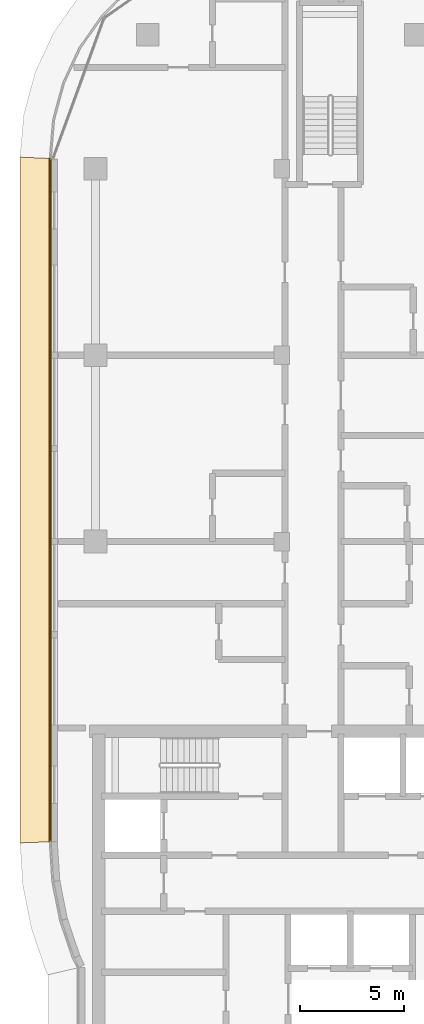
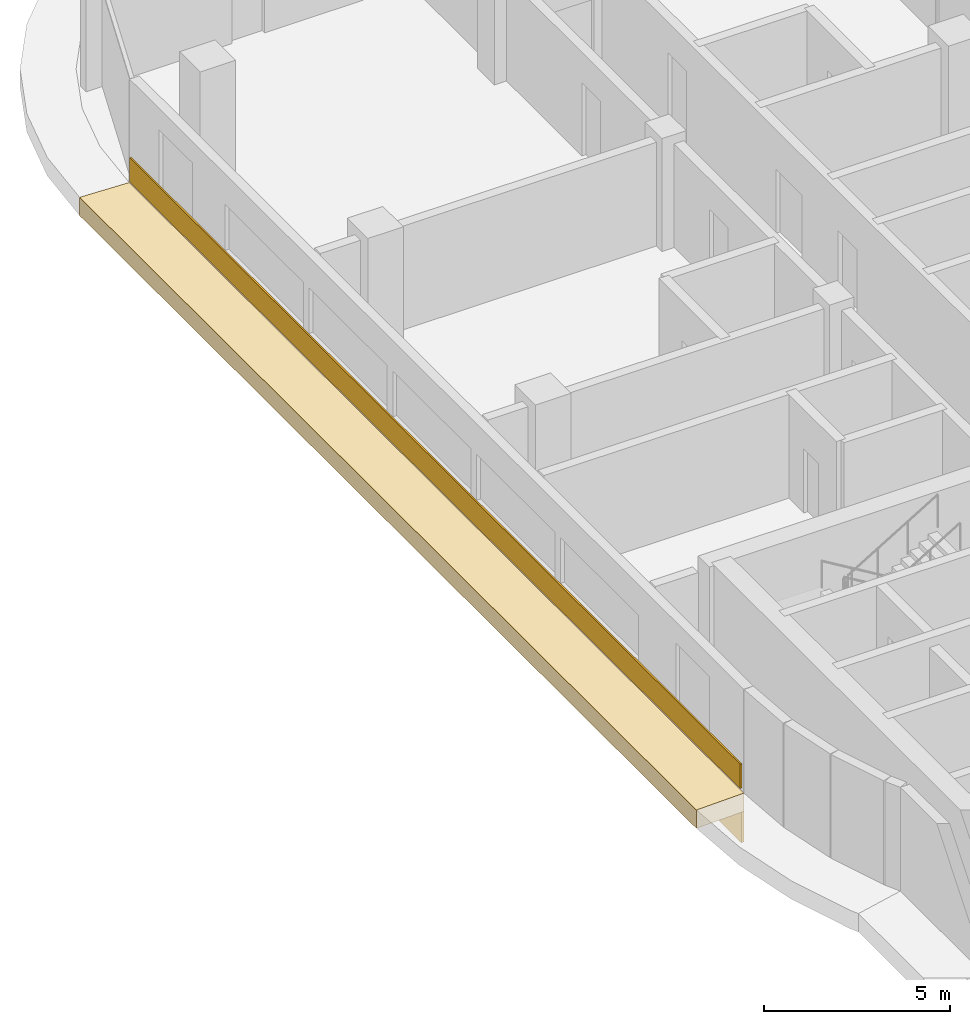
# One storey, part 19 of 26: 3 coverings.
"""IFC4 building model written with IfcOpenShell, lengths in metres."""

from ifc_helpers import new_model, si_unit, direction, frame, origin, origin_2d, place, context, subcontext, project, spatial, polyline, rectangle, outline, extrude, material, layer, layer_set, type_object, element, save


model = new_model("IFC4")

# Units and contexts
model_context = context("Model", 3, precision=1e-05, world=origin(), true_north=direction((0.0, 1.0)))
body_context = subcontext(model_context, "Body", "Model", "MODEL_VIEW")
ifc_project = project(units=[si_unit("LENGTHUNIT", "METRE"), si_unit("AREAUNIT", "SQUARE_METRE"), si_unit("VOLUMEUNIT", "CUBIC_METRE"), si_unit("PLANEANGLEUNIT", "RADIAN"), si_unit("MASSUNIT", "GRAM", prefix="KILO")], contexts=[model_context])

# Site, building, storey
site_placement = place(None, origin())
site = spatial("IfcSite", under=ifc_project, at=site_placement, CompositionType="ELEMENT")
building_placement = place(site_placement, origin())
building = spatial("IfcBuilding", under=site, at=building_placement, Name="Ogive Portal Towers", CompositionType="ELEMENT")
storey_placement = place(building_placement, frame((0.0, 0.0, 171.800048828125)))
storey = spatial("IfcBuildingStorey", under=building, at=storey_placement, Name="L42", CompositionType="ELEMENT", Elevation=171.800048828125)

# Coverings
ifc_material = material(Name="Limestone cladding on lightweight block wall", Category="masonry")
ifc_layer_1 = layer(ifc_material, 0.050048828125)
ifc_layer_set_1 = layer_set([ifc_layer_1], Name="SCREEN PERFORATED STONE")
covering_type_1 = type_object("IfcCoveringType", Name="SCREEN PERFORATED STONE", PredefinedType="CLADDING", material=ifc_layer_set_1)
covering_1_placement = place(storey_placement, frame((29.330078125, 50.497802734375, 0.10009765625), z_axis=(0.0, 0.0, 1.0), x_axis=(0.0, -1.0, 0.0)))
element("IfcCovering", 1, at=covering_1_placement, inside=storey, type_object=covering_type_1, Name="Tracery screen", PredefinedType="CLADDING", context=body_context, shape_type="SweptSolid", body=[
    extrude(rectangle(XDim=32.776123046875, YDim=0.050048828125, at=origin_2d()), origin(), (0.0, 0.0, 1.0), 0.800048828125),
])
ifc_layer_2 = layer(ifc_material, 0.080078125)
ifc_layer_set_2 = layer_set([ifc_layer_2], Name="STONE SPANDREL 80")
covering_type_2 = type_object("IfcCoveringType", Name="STONE SPANDREL 80", PredefinedType="CLADDING", material=ifc_layer_set_2)
covering_2_placement = place(storey_placement, frame((0.0, 0.0, -1.60009765625)))
element("IfcCovering", 2, at=covering_2_placement, inside=storey, type_object=covering_type_2, Name="Stone spandrel A1-F11", PredefinedType="CLADDING", context=body_context, shape_type="SweptSolid", body=[
    extrude(outline(polyline([(29.35498046875, 67.0), (29.35498046875, 34.0), (29.27490234375, 33.997314453125), (29.27490234375, 67.00341796875), (29.35498046875, 67.0)])), origin(), (0.0, 0.0, 1.0), 1.0),
])
ifc_layer_3 = layer(ifc_material, 0.60009765625)
ifc_layer_set_3 = layer_set([ifc_layer_3], Name="SUNSHADE LIP 600")
covering_type_3 = type_object("IfcCoveringType", Name="SUNSHADE LIP 600", PredefinedType="CLADDING", material=ifc_layer_set_3)
covering_3_placement = place(storey_placement, frame((0.0, 0.0, -0.60009765625)))
element("IfcCovering", 3, at=covering_3_placement, inside=storey, type_object=covering_type_3, Name="Sunshade lip A1-F11", PredefinedType="CLADDING", context=body_context, shape_type="SweptSolid", body=[
    extrude(outline(polyline([(29.35498046875, 67.0), (29.35498046875, 34.0), (27.85498046875, 33.950927734375), (27.85498046875, 67.0654296875), (29.35498046875, 67.0)])), origin(), (0.0, 0.0, 1.0), 0.60009765625),
])

save(model, "model.ifc")
